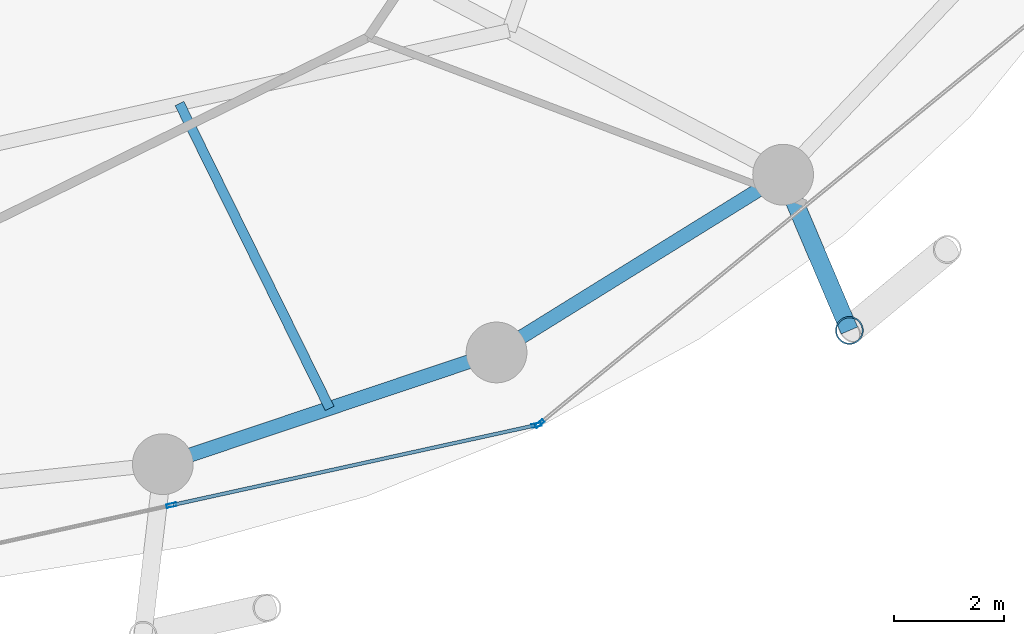
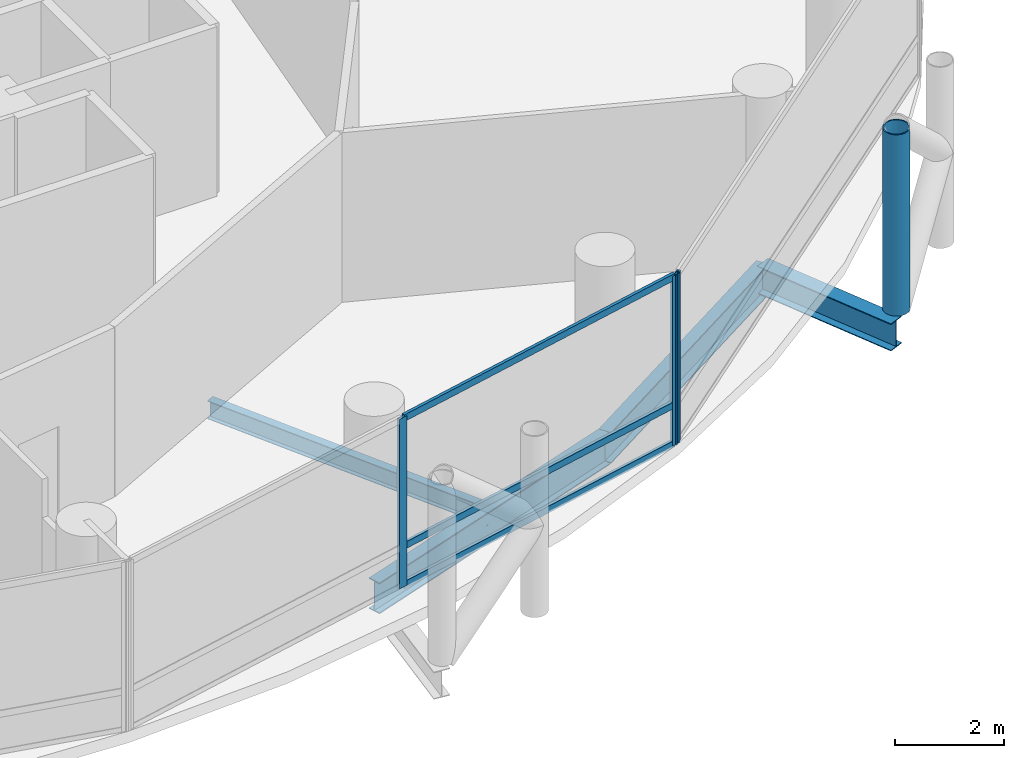
# One storey, part 8 of 25: 7 members, 4 beams, 2 elements without a shape of their own.
"""IFC4 building model written with IfcOpenShell, lengths in metres."""

from ifc_helpers import new_model, si_unit, direction, frame, origin, origin_2d, place, context, subcontext, project, spatial, hollow_rectangle, hollow_circle, i_section, extrude, material, layer, layer_set, material_profile, profile_set, type_object, element, aggregate, save


model = new_model("IFC4")

# Units and contexts
model_context = context("Model", 3, precision=1e-05, world=origin(), true_north=direction((0.0, 1.0)))
body_context = subcontext(model_context, "Body", "Model", "MODEL_VIEW")
ifc_project = project(units=[si_unit("LENGTHUNIT", "METRE"), si_unit("AREAUNIT", "SQUARE_METRE"), si_unit("VOLUMEUNIT", "CUBIC_METRE"), si_unit("PLANEANGLEUNIT", "RADIAN"), si_unit("MASSUNIT", "GRAM", prefix="KILO")], contexts=[model_context])

# Site, building, storey
site_placement = place(None, origin())
site = spatial("IfcSite", under=ifc_project, at=site_placement, CompositionType="ELEMENT")
building_placement = place(site_placement, origin())
building = spatial("IfcBuilding", under=site, at=building_placement, Name="Nuhasar Tower", CompositionType="ELEMENT")
storey_placement = place(building_placement, frame((0.0, 0.0, 49.35009765625)))
storey = spatial("IfcBuildingStorey", under=building, at=storey_placement, Name="L11", CompositionType="ELEMENT", Elevation=49.35009765625)

# Beams
ifc_material_1 = material(Name="Steel S355", Category="steel")
ifc_material_profile_1 = material_profile(ifc_material_1, i_section(OverallWidth=0.177978515625, OverallDepth=0.406005859375, WebThickness=0.0078125, FlangeThickness=0.0126953125, at=origin_2d()), Name="W16X40")
ifc_profile_set_1 = profile_set([ifc_material_profile_1], Name="Steel S355")
beam_type_1 = type_object("IfcBeamType", Name="BM-JST-W16X40", PredefinedType="JOIST", material=ifc_profile_set_1)
beam_1_placement = place(storey_placement, frame((45.783935546875, 13.77001953125, -0.463134765625), z_axis=(0.442126747458, -0.89695258469, 0.0), x_axis=(0.89695258469, 0.442126747458, 0.0)))
element("IfcBeam", 1, at=beam_1_placement, inside=storey, type_object=beam_type_1, Name="L11 Secondary Floor Joist 02", PredefinedType="JOIST", context=body_context, shape_type="SweptSolid", body=[
    extrude(i_section(OverallWidth=0.177978515625, OverallDepth=0.406005859375, WebThickness=0.0078125, FlangeThickness=0.0126953125, at=origin_2d()), origin(), (0.0, 0.0, 1.0), 6.152099609375),
])
ifc_material_profile_2 = material_profile(ifc_material_1, i_section(OverallWidth=0.256103515625, OverallDepth=0.693115234375, WebThickness=0.014404296875, FlangeThickness=0.023681640625, at=origin_2d()), Name="W27X114")
ifc_profile_set_2 = profile_set([ifc_material_profile_2], Name="Steel S355")
beam_type_2 = type_object("IfcBeamType", Name="BM-RING-W27X114", PredefinedType="SPANDREL", material=ifc_profile_set_2)
beam_2_placement = place(storey_placement, frame((45.48291015625, 7.239990234375, -0.606201171875), z_axis=(0.94826097201, 0.317491935271, 0.0), x_axis=(-0.317491935271, 0.94826097201, 0.0)))
element("IfcBeam", 2, at=beam_2_placement, inside=storey, type_object=beam_type_2, Name="L11 Perimeter Ring Spandrel 20", PredefinedType="SPANDREL", context=body_context, shape_type="SweptSolid", body=[
    extrude(i_section(OverallWidth=0.256103515625, OverallDepth=0.693115234375, WebThickness=0.014404296875, FlangeThickness=0.023681640625, at=origin_2d()), origin(), (0.0, 0.0, 1.0), 6.37158203125),
])
beam_3_placement = place(storey_placement, frame((51.52490234375, 9.262939453125, -0.606201171875), z_axis=(0.849795216549, 0.527112976439, 0.0), x_axis=(-0.527112976439, 0.849795216549, 0.0)))
element("IfcBeam", 3, at=beam_3_placement, inside=storey, type_object=beam_type_2, Name="L11 Perimeter Ring Spandrel 21", PredefinedType="SPANDREL", context=body_context, shape_type="SweptSolid", body=[
    extrude(i_section(OverallWidth=0.256103515625, OverallDepth=0.693115234375, WebThickness=0.014404296875, FlangeThickness=0.023681640625, at=origin_2d()), origin(), (0.0, 0.0, 1.0), 6.10498046875),
])
ifc_material_profile_3 = material_profile(ifc_material_1, i_section(OverallWidth=0.323974609375, OverallDepth=0.611083984375, WebThickness=0.0126953125, FlangeThickness=0.01904296875, at=origin_2d()), Name="W24X104")
ifc_profile_set_3 = profile_set([ifc_material_profile_3], Name="Steel S355")
beam_type_3 = type_object("IfcBeamType", Name="BM-TIE-W24X104", PredefinedType="BEAM", material=ifc_profile_set_3)
beam_4_placement = place(storey_placement, frame((56.712890625, 12.48095703125, -0.565185546875), z_axis=(0.391601084021, -0.920135093882, 0.0), x_axis=(0.920135093882, 0.391601084021, 0.0)))
element("IfcBeam", 4, at=beam_4_placement, inside=storey, type_object=beam_type_3, Name="L11 Exoskeleton Node Tie Beam 11", PredefinedType="BEAM", context=body_context, shape_type="SweptSolid", body=[
    extrude(i_section(OverallWidth=0.323974609375, OverallDepth=0.611083984375, WebThickness=0.0126953125, FlangeThickness=0.01904296875, at=origin_2d()), origin(), (0.0, 0.0, 1.0), 3.06494140625),
])

# Curtain wall, members
ifc_material_2 = material(Name="Aluminium 6063-T6", Category="aluminium")
ifc_layer = layer(ifc_material_2, 0.199951171875)
ifc_layer_set = layer_set([ifc_layer], Name="Aluminium 6063-T6")
curtain_wall_type = type_object("IfcCurtainWallType", Name="CW-Z1-OFF", PredefinedType="NOTDEFINED", material=ifc_layer_set)
curtain_wall_1_placement = place(storey_placement, origin())
curtain_wall_1 = element("IfcCurtainWall", 5, at=curtain_wall_1_placement, inside=storey, type_object=curtain_wall_type, Name="L11 Unitised Curtain Wall 10", PredefinedType="NOTDEFINED")
ifc_material_profile_4 = material_profile(ifc_material_2, hollow_rectangle(XDim=0.06494140625, YDim=0.179931640625, WallThickness=0.0048828125, at=origin_2d()), Name="CWM-2")
ifc_profile_set_4 = profile_set([ifc_material_profile_4], Name="Aluminium 6063-T6")
member_type_1 = type_object("IfcMemberType", Name="CW-MUL-S2", PredefinedType="MULLION", material=ifc_profile_set_4)
member_1_placement = place(storey_placement, frame((45.639892578125, 6.49755859375, 0.0), z_axis=(0.0, 0.0, 1.0), x_axis=(-0.214398737637, 0.976746221544, 0.0)))
member_1 = element("IfcMember", 6, at=member_1_placement, type_object=member_type_1, Name="CW-Z1 mullion 2", PredefinedType="MULLION", context=body_context, shape_type="SweptSolid", body=[
    extrude(hollow_rectangle(XDim=0.06494140625, YDim=0.179931640625, WallThickness=0.0048828125, at=origin_2d()), origin(), (0.0, 0.0, 1.0), 3.789794921875),
])
member_2_placement = place(storey_placement, frame((52.248291015625, 7.947998046875, 0.0), z_axis=(0.0, 0.0, 1.0), x_axis=(-0.214398737637, 0.976746221544, 0.0)))
member_2 = element("IfcMember", 7, at=member_2_placement, type_object=member_type_1, Name="CW-Z1 mullion 3", PredefinedType="MULLION", context=body_context, shape_type="SweptSolid", body=[
    extrude(hollow_rectangle(XDim=0.06494140625, YDim=0.179931640625, WallThickness=0.0048828125, at=origin_2d()), origin(), (0.0, 0.0, 1.0), 3.789794921875),
])

# Curtain wall, member
curtain_wall_2_placement = place(storey_placement, origin())
curtain_wall_2 = element("IfcCurtainWall", 8, at=curtain_wall_2_placement, inside=storey, type_object=curtain_wall_type, Name="L11 Unitised Curtain Wall 11", PredefinedType="NOTDEFINED")
member_3_placement = place(storey_placement, frame((52.30517578125, 7.9755859375, 0.0), z_axis=(0.0, 0.0, 1.0), x_axis=(-0.633744593376, 0.773542364946, 0.0)))
member_3 = element("IfcMember", 9, at=member_3_placement, type_object=member_type_1, Name="CW-Z1 mullion 1", PredefinedType="MULLION", context=body_context, shape_type="SweptSolid", body=[
    extrude(hollow_rectangle(XDim=0.06494140625, YDim=0.179931640625, WallThickness=0.0048828125, at=origin_2d()), origin(), (0.0, 0.0, 1.0), 3.789794921875),
])
aggregate(curtain_wall_2, [member_3])

# Member
ifc_material_profile_5 = material_profile(ifc_material_2, hollow_rectangle(XDim=0.06494140625, YDim=0.14990234375, WallThickness=0.00439453125, at=origin_2d()), Name="CWT-2")
ifc_profile_set_5 = profile_set([ifc_material_profile_5], Name="Aluminium 6063-T6")
member_type_2 = type_object("IfcMemberType", Name="CW-TRN-S2", PredefinedType="USERDEFINED", material=ifc_profile_set_5)
member_4_placement = place(storey_placement, frame((45.671630859375, 6.50439453125, 0.032470703125), z_axis=(0.976741923778, 0.214418316228, 0.0), x_axis=(-0.214418316228, 0.976741923778, 0.0)))
member_4 = element("IfcMember", 10, at=member_4_placement, type_object=member_type_2, Name="CW-Z1 transom 2.1", ObjectType="TRANSOM", PredefinedType="USERDEFINED", context=body_context, shape_type="SweptSolid", body=[
    extrude(hollow_rectangle(XDim=0.06494140625, YDim=0.14990234375, WallThickness=0.00439453125, at=origin_2d()), origin(), (0.0, 0.0, 1.0), 6.70068359375),
])

member_5_placement = place(storey_placement, frame((45.671630859375, 6.50439453125, 0.89990234375), z_axis=(0.976741923778, 0.214418316228, 0.0), x_axis=(-0.214418316228, 0.976741923778, 0.0)))
member_5 = element("IfcMember", 11, at=member_5_placement, type_object=member_type_2, Name="CW-Z1 transom 2.2", ObjectType="TRANSOM", PredefinedType="USERDEFINED", context=body_context, shape_type="SweptSolid", body=[
    extrude(hollow_rectangle(XDim=0.06494140625, YDim=0.14990234375, WallThickness=0.00439453125, at=origin_2d()), origin(), (0.0, 0.0, 1.0), 6.70068359375),
])

member_6_placement = place(storey_placement, frame((45.671630859375, 6.50439453125, 3.75732421875), z_axis=(0.976741923778, 0.214418316228, 0.0), x_axis=(-0.214418316228, 0.976741923778, 0.0)))
member_6 = element("IfcMember", 12, at=member_6_placement, type_object=member_type_2, Name="CW-Z1 transom 2.3", ObjectType="TRANSOM", PredefinedType="USERDEFINED", context=body_context, shape_type="SweptSolid", body=[
    extrude(hollow_rectangle(XDim=0.06494140625, YDim=0.14990234375, WallThickness=0.00439453125, at=origin_2d()), origin(), (0.0, 0.0, 1.0), 6.70068359375),
])

aggregate(curtain_wall_1, [member_1, member_2, member_4, member_5, member_6])

ifc_material_3 = material(Name="Steel S460", Category="steel")
ifc_material_profile_6 = material_profile(ifc_material_3, hollow_circle(Radius=0.25390625, WallThickness=0.025390625, at=origin_2d()), Name="HSS508X25.4")
ifc_profile_set_6 = profile_set([ifc_material_profile_6], Name="Steel S460")
member_type_3 = type_object("IfcMemberType", Name="EXO-BRONZE-508", PredefinedType="BRACE", material=ifc_profile_set_6)
member_7_placement = place(storey_placement, frame((57.9130859375, 9.660888671875, 0.0), z_axis=(0.0, 0.0, 1.0), x_axis=(1.0, 0.0, 0.0)))
element("IfcMember", 13, at=member_7_placement, inside=storey, type_object=member_type_3, Name="L11 Exoskeleton Chord Column EC-11A", PredefinedType="BRACE", context=body_context, shape_type="SweptSolid", body=[
    extrude(hollow_circle(Radius=0.25390625, WallThickness=0.025390625, at=origin_2d()), origin(), (0.0, 0.0, 1.0), 4.0498046875),
])

save(model, "model.ifc")
